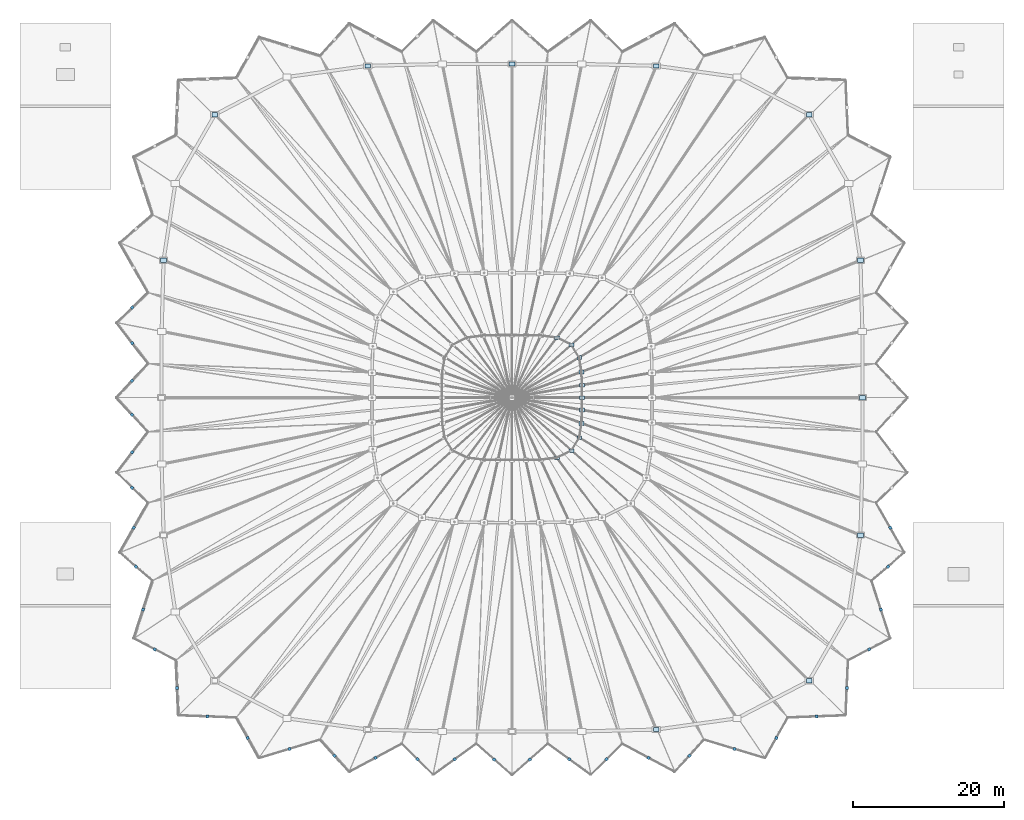
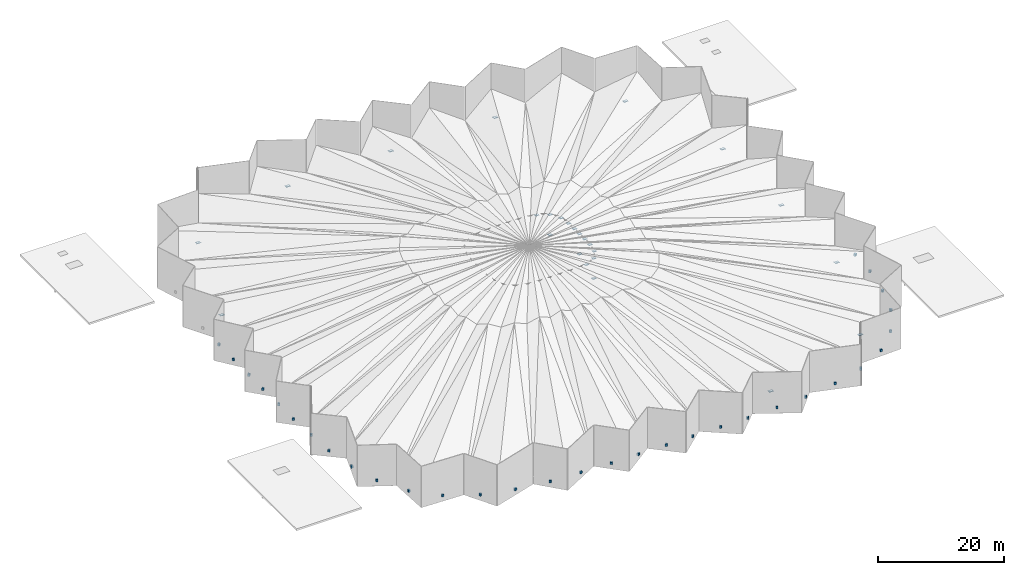
# One storey, part 34 of 41: 32 discrete accessories, 25 plates.
"""IFC4 building model written with IfcOpenShell, lengths in metres."""

from ifc_helpers import new_model, si_unit, direction, frame, origin, origin_2d, place, context, subcontext, project, spatial, rectangle, extrude, material, layer, layer_set, type_object, element, save


model = new_model("IFC4")

# Units and contexts
model_context = context("Model", 3, precision=1e-05, world=origin(), true_north=direction((0.0, 1.0)))
body_context = subcontext(model_context, "Body", "Model", "MODEL_VIEW")
ifc_project = project(units=[si_unit("LENGTHUNIT", "METRE"), si_unit("AREAUNIT", "SQUARE_METRE"), si_unit("VOLUMEUNIT", "CUBIC_METRE"), si_unit("PLANEANGLEUNIT", "RADIAN"), si_unit("MASSUNIT", "GRAM", prefix="KILO")], contexts=[model_context])

# Site, building, storey
site_placement = place(None, origin())
site = spatial("IfcSite", under=ifc_project, at=site_placement, CompositionType="ELEMENT")
building_placement = place(site_placement, origin())
building = spatial("IfcBuilding", under=site, at=building_placement, Name="Luwafu Chhajja Arena", CompositionType="ELEMENT")
storey_placement = place(building_placement, frame((0.0, 0.0, 29.699951171875)))
storey = spatial("IfcBuildingStorey", under=building, at=storey_placement, Name="RF", CompositionType="ELEMENT", Elevation=29.699951171875)

# Plates
ifc_material_1 = material(Name="Steel S355", Category="steel")
ifc_layer_1 = layer(ifc_material_1, 0.028076171875, Name="Steel S355")
ifc_layer_set_1 = layer_set([ifc_layer_1], Name="Steel S355")
plate_type_1 = type_object("IfcPlateType", Name="Cable Net Clamp Gusset Plate CN-1", PredefinedType="USERDEFINED", material=ifc_layer_set_1)
for number, where, z_axis, x_axis, name in (
    (1, (108.25, 49.5, 8.005859375), (0.0, 0.0, 1.0), (1.0, 0.0, 0.0), "Cable Net Clamp Plate CN-1 01"),
    (2, (108.25, 49.5, 4.0859375), (0.0, 0.0, 1.0), (1.0, 0.0, 0.0), "Cable Net Lower Clamp Plate CN-1 01"),
    (3, (108.24755859375, 51.140625, 8.005859375), (0.0, 0.0, 1.0), (1.0, 0.0, 0.0), "Cable Net Clamp Plate CN-1 02"),
    (4, (108.1962890625, 52.8974609375, 8.005859375), (0.0, 0.0, 1.0), (1.0, 0.0, 0.0), "Cable Net Clamp Plate CN-1 03"),
    (5, (107.885498046875, 54.79541015625, 8.005859375), (0.0, 0.0, 1.0), (1.0, 0.0, 0.0), "Cable Net Clamp Plate CN-1 04"),
    (6, (106.8427734375, 56.494873046875, 8.005859375), (0.0, 0.0, 1.0), (1.0, 0.0, 0.0), "Cable Net Clamp Plate CN-1 05"),
    (7, (106.8427734375, 56.494873046875, 4.0859375), (0.0, 0.0, 1.0), (1.0, 0.0, 0.0), "Cable Net Lower Clamp Plate CN-1 02"),
    (8, (104.937255859375, 57.425048828125, 8.005859375), (0.0, 0.0, 1.0), (1.0, 0.0, 0.0), "Cable Net Clamp Plate CN-1 06"),
    (9, (104.937255859375, 41.574951171875, 8.005859375), (0.0, 0.0, 1.0), (1.0, 0.0, 0.0), "Cable Net Clamp Plate CN-1 28"),
    (10, (106.8427734375, 42.505126953125, 8.005859375), (0.0, 0.0, 1.0), (1.0, 0.0, 0.0), "Cable Net Clamp Plate CN-1 29"),
    (11, (106.8427734375, 42.505126953125, 4.0859375), (0.0, 0.0, 1.0), (1.0, 0.0, 0.0), "Cable Net Lower Clamp Plate CN-1 08"),
    (12, (107.885498046875, 44.20458984375, 8.005859375), (0.0, 0.0, 1.0), (1.0, 0.0, 0.0), "Cable Net Clamp Plate CN-1 30"),
    (13, (108.1962890625, 46.1025390625, 8.005859375), (0.0, 0.0, 1.0), (1.0, 0.0, 0.0), "Cable Net Clamp Plate CN-1 31"),
    (14, (108.24755859375, 47.859375, 8.005859375), (0.0, 0.0, 1.0), (1.0, 0.0, 0.0), "Cable Net Clamp Plate CN-1 32"),
):
    element("IfcPlate", number, at=place(storey_placement, frame(where, z_axis=z_axis, x_axis=x_axis)), inside=storey, type_object=plate_type_1, Name=name, ObjectType="GUSSET PLATE", PredefinedType="USERDEFINED", context=body_context, shape_type="SweptSolid", body=[
        extrude(rectangle(XDim=0.64990234375, YDim=0.5, at=origin_2d()), origin(), (0.0, 0.0, 1.0), 0.028076171875),
    ])
ifc_layer_2 = layer(ifc_material_1, 0.02490234375, Name="Steel S355")
ifc_layer_set_2 = layer_set([ifc_layer_2], Name="Steel S355")
plate_type_2 = type_object("IfcPlateType", Name="Folded Roof Ridge Node Cap Plate FN-1", PredefinedType="USERDEFINED", material=ifc_layer_set_2)
for number, where, z_axis, x_axis, name in (
    (15, (145.300048828125, 49.5, 0.61767578125), (0.0, 0.0, 1.0), (1.0, 0.0, 0.0), "Folded Roof Node Plate FN-1 01"),
    (16, (145.031982421875, 67.6611328125, 0.61767578125), (0.0, 0.0, 1.0), (1.0, 0.0, 0.0), "Folded Roof Node Plate FN-1 02"),
    (17, (138.256103515625, 86.890869140625, 0.61767578125), (0.0, 0.0, 1.0), (1.0, 0.0, 0.0), "Folded Roof Node Plate FN-1 03"),
    (18, (118.067138671875, 93.3447265625, 0.61767578125), (0.0, 0.0, 1.0), (1.0, 0.0, 0.0), "Folded Roof Node Plate FN-1 04"),
    (19, (99.0, 93.60009765625, 0.61767578125), (0.0, 0.0, 1.0), (1.0, 0.0, 0.0), "Folded Roof Node Plate FN-1 05"),
    (20, (79.932861328125, 93.3447265625, 0.61767578125), (0.0, 0.0, 1.0), (1.0, 0.0, 0.0), "Folded Roof Node Plate FN-1 06"),
    (21, (59.743896484375, 86.890869140625, 0.61767578125), (0.0, 0.0, 1.0), (1.0, 0.0, 0.0), "Folded Roof Node Plate FN-1 07"),
    (22, (52.968017578125, 67.6611328125, 0.61767578125), (0.0, 0.0, 1.0), (1.0, 0.0, 0.0), "Folded Roof Node Plate FN-1 08"),
    (23, (118.067138671875, 5.6552734375, 0.61767578125), (0.0, 0.0, 1.0), (1.0, 0.0, 0.0), "Folded Roof Node Plate FN-1 14"),
    (24, (138.256103515625, 12.109130859375, 0.61767578125), (0.0, 0.0, 1.0), (1.0, 0.0, 0.0), "Folded Roof Node Plate FN-1 15"),
    (25, (145.031982421875, 31.3388671875, 0.61767578125), (0.0, 0.0, 1.0), (1.0, 0.0, 0.0), "Folded Roof Node Plate FN-1 16"),
):
    element("IfcPlate", number, at=place(storey_placement, frame(where, z_axis=z_axis, x_axis=x_axis)), inside=storey, type_object=plate_type_2, Name=name, ObjectType="GUSSET PLATE", PredefinedType="USERDEFINED", context=body_context, shape_type="SweptSolid", body=[
        extrude(rectangle(XDim=0.75, YDim=0.550048828125, at=origin_2d()), origin(), (0.0, 0.0, 1.0), 0.02490234375),
    ])

# Discrete accessories
ifc_material_2 = material(Name="Stainless steel bracket", Category="steel")
ifc_layer_3 = layer(ifc_material_2, 0.179931640625, Name="Stainless steel bracket")
ifc_layer_set_3 = layer_set([ifc_layer_3], Name="Stainless steel bracket")
discrete_accessory_type = type_object("IfcDiscreteAccessoryType", Name="Stainless Steel Facade Support Bracket", PredefinedType="BRACKET", material=ifc_layer_set_3)
for number, where, z_axis, x_axis, name in (
    (26, (48.823486328125, 61.395263671875, -0.125), (0.0, 0.0, 1.0), (-0.719887976366, -0.694090268974, 0.0), "RF Crown Screen Support Bracket 0030"),
    (27, (48.82080078125, 56.703857421875, -0.125), (0.0, 0.0, 1.0), (0.60965313274, -0.792668315085, 0.0), "RF Crown Screen Support Bracket 0031"),
    (28, (48.795654296875, 51.755859375, -0.125), (0.0, 0.0, 1.0), (-0.68063108001, -0.732626325574, 0.0), "RF Crown Screen Support Bracket 0032"),
    (29, (48.795654296875, 47.244140625, -0.125), (0.0, 0.0, 1.0), (0.68063108001, -0.732626325574, 0.0), "RF Crown Screen Support Bracket 0033"),
    (30, (48.82080078125, 42.296142578125, -0.125), (0.0, 0.0, 1.0), (-0.60965313274, -0.792668315085, 0.0), "RF Crown Screen Support Bracket 0034"),
    (31, (48.823486328125, 37.604736328125, -0.125), (0.0, 0.0, 1.0), (0.719887976366, -0.694090268974, 0.0), "RF Crown Screen Support Bracket 0035"),
    (32, (49.01708984375, 32.3251953125, -0.125), (0.0, 0.0, 1.0), (-0.497200973482, -0.867635402671, 0.0), "RF Crown Screen Support Bracket 0036"),
    (33, (49.31640625, 27.18359375, -0.125), (0.0, 0.0, 1.0), (0.760438832621, -0.649409564021, 0.0), "RF Crown Screen Support Bracket 0037"),
    (34, (50.250732421875, 21.507080078125, -0.125), (0.0, 0.0, 1.0), (-0.310226236034, -0.950662759593, 0.0), "RF Crown Screen Support Bracket 0038"),
    (35, (51.802490234375, 16.24755859375, -0.125), (0.0, 0.0, 1.0), (0.888491974028, -0.458892157361, 0.0), "RF Crown Screen Support Bracket 0039"),
    (36, (54.7578125, 11.16357421875, -0.125), (0.0, 0.0, 1.0), (0.043562300264, -0.999050712424, 0.0), "RF Crown Screen Support Bracket 0040"),
    (37, (58.745361328125, 7.38037109375, -0.125), (0.0, 0.0, 1.0), (0.999297927203, -0.037465353157, 0.0), "RF Crown Screen Support Bracket 0041"),
    (38, (64.0732421875, 4.550537109375, -0.125), (0.0, 0.0, 1.0), (0.487313131845, -0.873227296603, 0.0), "RF Crown Screen Support Bracket 0042"),
    (39, (69.604248046875, 3.090087890625, -0.125), (0.0, 0.0, 1.0), (0.9567402425, 0.290943479702, 0.0), "RF Crown Screen Support Bracket 0043"),
    (40, (75.5625, 2.18359375, -0.125), (0.0, 0.0, 1.0), (0.670358269136, -0.742037594062, 0.0), "RF Crown Screen Support Bracket 0044"),
    (41, (80.961181640625, 1.913818359375, -0.125), (0.0, 0.0, 1.0), (0.881200624672, 0.472742487067, 0.0), "RF Crown Screen Support Bracket 0045"),
    (42, (86.5107421875, 1.716796875, -0.125), (0.0, 0.0, 1.0), (0.710108737602, -0.70409202579, 0.0), "RF Crown Screen Support Bracket 0046"),
    (43, (91.429931640625, 1.723388671875, -0.125), (0.0, 0.0, 1.0), (0.808838836348, 0.588030387663, 0.0), "RF Crown Screen Support Bracket 0047"),
    (44, (96.635986328125, 1.69482421875, -0.125), (0.0, 0.0, 1.0), (0.748442472682, -0.663199717344, 0.0), "RF Crown Screen Support Bracket 0048"),
    (45, (101.364013671875, 1.69482421875, -0.125), (0.0, 0.0, 1.0), (0.748442472682, 0.663199717344, 0.0), "RF Crown Screen Support Bracket 0049"),
    (46, (106.570068359375, 1.723388671875, -0.125), (0.0, 0.0, 1.0), (0.808838836348, -0.588030387663, 0.0), "RF Crown Screen Support Bracket 0050"),
    (47, (111.4892578125, 1.716796875, -0.125), (0.0, 0.0, 1.0), (0.710108737602, 0.70409202579, 0.0), "RF Crown Screen Support Bracket 0051"),
    (48, (117.038818359375, 1.913818359375, -0.125), (0.0, 0.0, 1.0), (0.881200624672, -0.472742487067, 0.0), "RF Crown Screen Support Bracket 0052"),
    (49, (122.4375, 2.18359375, -0.125), (0.0, 0.0, 1.0), (0.670358269136, 0.742037594062, 0.0), "RF Crown Screen Support Bracket 0053"),
    (50, (128.395751953125, 3.090087890625, -0.125), (0.0, 0.0, 1.0), (0.9567402425, -0.290943479702, 0.0), "RF Crown Screen Support Bracket 0054"),
    (51, (133.9267578125, 4.550537109375, -0.125), (0.0, 0.0, 1.0), (0.487313131845, 0.873227296603, 0.0), "RF Crown Screen Support Bracket 0055"),
    (52, (139.254638671875, 7.38037109375, -0.125), (0.0, 0.0, 1.0), (0.999297927203, 0.037465353157, 0.0), "RF Crown Screen Support Bracket 0056"),
    (53, (143.2421875, 11.16357421875, -0.125), (0.0, 0.0, 1.0), (0.043562300264, 0.999050712424, 0.0), "RF Crown Screen Support Bracket 0057"),
    (54, (146.197509765625, 16.24755859375, -0.125), (0.0, 0.0, 1.0), (0.888491974028, 0.458892157361, 0.0), "RF Crown Screen Support Bracket 0058"),
    (55, (147.749267578125, 21.507080078125, -0.125), (0.0, 0.0, 1.0), (-0.310226236034, 0.950662759593, 0.0), "RF Crown Screen Support Bracket 0059"),
    (56, (148.68359375, 27.18359375, -0.125), (0.0, 0.0, 1.0), (0.760438832621, 0.649409564021, 0.0), "RF Crown Screen Support Bracket 0060"),
    (57, (148.98291015625, 32.3251953125, -0.125), (0.0, 0.0, 1.0), (-0.497200973482, 0.867635402671, 0.0), "RF Crown Screen Support Bracket 0061"),
):
    element("IfcDiscreteAccessory", number, at=place(storey_placement, frame(where, z_axis=z_axis, x_axis=x_axis)), inside=storey, type_object=discrete_accessory_type, Name=name, PredefinedType="BRACKET", context=body_context, shape_type="SweptSolid", body=[
        extrude(rectangle(XDim=0.3798828125, YDim=0.3798828125, at=origin_2d()), origin(), (0.0, 0.0, 1.0), 0.449951171875),
    ])

save(model, "model.ifc")
